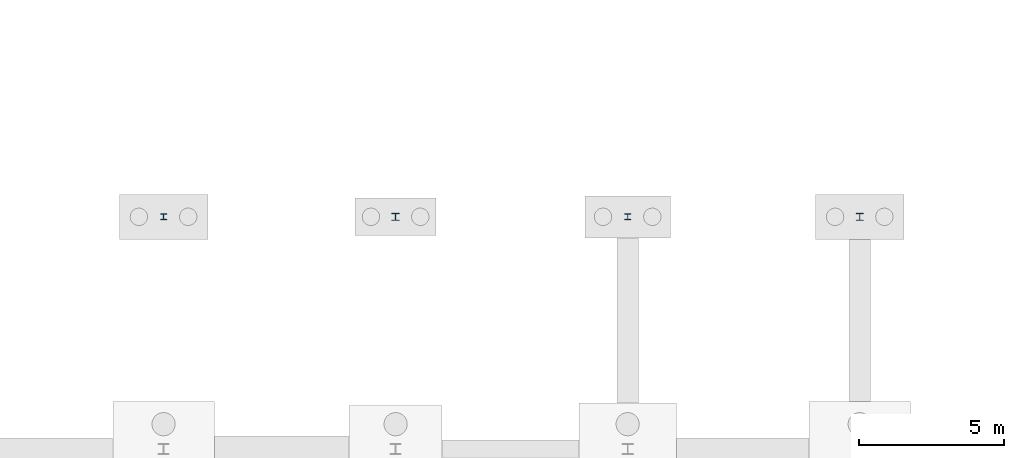
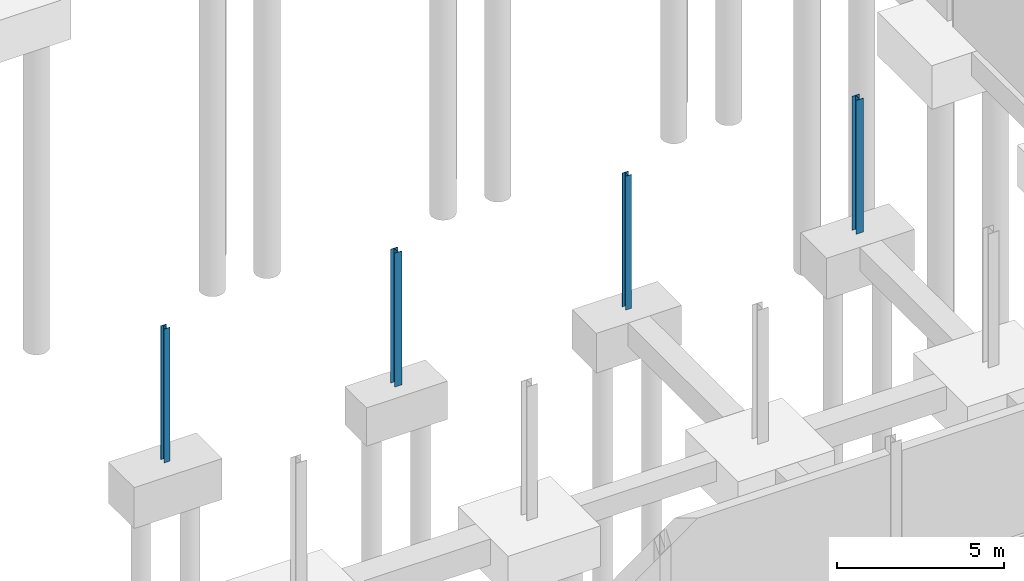
# One storey, part 33 of 51: 4 columns.
"""IFC4 building model written with IfcOpenShell, lengths in metres."""

import ifcopenshell
import ifcopenshell.guid

model = None  # the IFC model being written
_history = None  # IfcOwnerHistory: only IFC2X3 demands one
_inside = {}  # id of a spatial element -> (the spatial element, [elements in it])
_under = {}  # id of a project, library or spatial element -> (it, [spatial elements below it])
_declared = {}  # id of a project -> (the project, [libraries it declares])
_typed = {}  # id of a type object -> (the type object, [elements of that type])
_made_of = {}  # id of a material, layer set ... -> (it, [elements and type objects made of it])


def new_model(schema):
    """Start an empty IFC model of exactly this schema.

    Asked for "IFC4X3", IfcOpenShell would pick the latest addendum, in which some entities
    have other attributes; the version numbers below select the first issue.
    IFC2X3 requires an IfcOwnerHistory on every rooted entity: one is made here for all.
    """
    global model, _history
    if schema == "IFC4X3":
        model = ifcopenshell.file(schema_version=(4, 3, 0, 0))
    else:
        model = ifcopenshell.file(schema=schema)
    _inside.clear()
    _under.clear()
    _declared.clear()
    _typed.clear()
    _made_of.clear()
    _history = None
    if model.schema == "IFC2X3":
        org = make("IfcOrganization", Name="unknown")
        user = make(
            "IfcPersonAndOrganization",
            ThePerson=make("IfcPerson", FamilyName="unknown"),
            TheOrganization=org,
        )
        app = make(
            "IfcApplication",
            ApplicationDeveloper=org,
            Version="unknown",
            ApplicationFullName="unknown",
            ApplicationIdentifier="unknown",
        )
        _history = make(
            "IfcOwnerHistory",
            OwningUser=user,
            OwningApplication=app,
            ChangeAction="ADDED",
            CreationDate=0,
        )
    return model


def make(cls, **values):
    """One entity of the class cls with the attributes given. An attribute that is None is left unset."""
    return model.create_entity(
        cls, **{name: value for name, value in values.items() if value is not None}
    )


def rooted(cls, **values):
    """An entity with a GlobalId (a new one), such as an element, a storey or a relation."""
    return make(cls, GlobalId=ifcopenshell.guid.new(), OwnerHistory=_history, **values)


def si_unit(unit_type, name, prefix=None):
    """IfcSIUnit, for example si_unit("LENGTHUNIT", "METRE", prefix="MILLI")."""
    return make("IfcSIUnit", UnitType=unit_type, Prefix=prefix, Name=name)


def assignment(units):
    """IfcUnitAssignment: the units of a project."""
    return None if units is None else make("IfcUnitAssignment", Units=units)


def point(xyz):
    """IfcCartesianPoint."""
    return None if xyz is None else make("IfcCartesianPoint", Coordinates=xyz)


def direction(xyz):
    """IfcDirection."""
    return None if xyz is None else make("IfcDirection", DirectionRatios=xyz)


def frame(location, z_axis=None, x_axis=None):
    """IfcAxis2Placement3D, a coordinate frame: its origin and axes. An axis left out is left unset."""
    return make(
        "IfcAxis2Placement3D",
        Location=point(location),
        Axis=direction(z_axis),
        RefDirection=direction(x_axis),
    )


def frame_2d(location, x_axis=None):
    """IfcAxis2Placement2D, a coordinate frame in the plane: its origin and x axis."""
    return make(
        "IfcAxis2Placement2D", Location=point(location), RefDirection=direction(x_axis)
    )


def origin():
    """The frame at (0, 0, 0) with its axes left unset."""
    return frame((0.0, 0.0, 0.0))


def origin_2d():
    """The frame at (0, 0) in the plane with its x axis left unset."""
    return frame_2d((0.0, 0.0))


def place(relative_to, where):
    """IfcLocalPlacement: puts the frame where relative to a parent placement (None: the world)."""
    return make(
        "IfcLocalPlacement", PlacementRelTo=relative_to, RelativePlacement=where
    )


def context(
    kind, dimensions, precision=None, world=None, true_north=None, identifier=None
):
    """IfcGeometricRepresentationContext, for example the 3D "Model" context."""
    return make(
        "IfcGeometricRepresentationContext",
        ContextIdentifier=identifier,
        ContextType=kind,
        CoordinateSpaceDimension=dimensions,
        Precision=precision,
        WorldCoordinateSystem=world,
        TrueNorth=true_north,
    )


def subcontext(parent, identifier, kind, view, scale=None):
    """IfcGeometricRepresentationSubContext, for example "Body" below "Model"."""
    return make(
        "IfcGeometricRepresentationSubContext",
        ContextIdentifier=identifier,
        ContextType=kind,
        ParentContext=parent,
        TargetScale=scale,
        TargetView=view,
    )


def project(units=None, contexts=None):
    """IfcProject with its units and contexts."""
    return rooted(
        "IfcProject",
        Name="project",
        RepresentationContexts=contexts,
        UnitsInContext=assignment(units),
    )


def spatial(cls, under=None, at=None, **own):
    """A site, building, storey or space (cls), placed at a placement, below another one or the project."""
    s = rooted(cls, ObjectPlacement=at, **own)
    if under is not None:
        _under.setdefault(under.id(), (under, []))[1].append(s)
    return s


def profile(cls, at=None, kind="AREA", **sizes):
    """A parametric profile (cls). Its sizes go by their IFC names, for example OverallWidth=200.0."""
    return make(cls, ProfileType=kind, Position=at, **sizes)


def i_section(**sizes):
    """IfcIShapeProfileDef."""
    return profile("IfcIShapeProfileDef", **sizes)


def extrude(swept, where, along, depth):
    """IfcExtrudedAreaSolid: the profile swept, set in the frame where, extruded along a direction by depth."""
    return make(
        "IfcExtrudedAreaSolid",
        SweptArea=swept,
        Position=where,
        ExtrudedDirection=direction(along),
        Depth=depth,
    )


def shape(context_of_items, identifier, shape_type, items):
    """IfcShapeRepresentation: the items that make up one representation, for example the "Body"."""
    return make(
        "IfcShapeRepresentation",
        ContextOfItems=context_of_items,
        RepresentationIdentifier=identifier,
        RepresentationType=shape_type,
        Items=items,
    )


def material(Name=None, Category=None):
    """IfcMaterial."""
    return make("IfcMaterial", Name=Name, Category=Category)


def material_profile(
    of_material, cross_section, Name=None, Category=None, Priority=None
):
    """IfcMaterialProfile: a cross section and its material."""
    return make(
        "IfcMaterialProfile",
        Name=Name,
        Material=of_material,
        Profile=cross_section,
        Priority=Priority,
        Category=Category,
    )


def profile_set(profiles, Name=None, composite=None):
    """IfcMaterialProfileSet."""
    return make(
        "IfcMaterialProfileSet",
        Name=Name,
        MaterialProfiles=profiles,
        CompositeProfile=composite,
    )


def made_of(thing, what):
    """Note that an element or type object is made of a material, layer set ...; save() writes the relation."""
    if what is not None:
        _made_of.setdefault(what.id(), (what, []))[1].append(thing)
    return thing


def type_object(cls, material=None, **own):
    """A type object (cls), such as IfcWallType, which elements share."""
    return made_of(rooted(cls, **own), material)


def element(
    cls,
    number,
    at=None,
    inside=None,
    cuts=None,
    type_object=None,
    material=None,
    context=None,
    identifier="Body",
    shape_type=None,
    held_by="IfcProductDefinitionShape",
    body=None,
    shapes=None,
    **own,
):
    """One element of the class cls, such as IfcWall. Its Tag is "e" and its number.

    at: its placement. inside: the storey or other place that contains it. cuts: it is an
    opening in that element (IfcRelVoidsElement). A single representation is given by context,
    identifier, shape_type and body (its items); several are given by shapes. held_by: the class
    of the entity that holds the representations. save() writes the other relations.
    """
    e = rooted(cls, Tag="e%d" % number, ObjectPlacement=at, **own)
    if body is not None:
        shapes = [shape(context, identifier, shape_type, body)]
    if shapes is not None:
        e.Representation = make(held_by, Representations=shapes)
    if inside is not None:
        _inside.setdefault(inside.id(), (inside, []))[1].append(e)
    if cuts is not None:
        rooted(
            "IfcRelVoidsElement", RelatingBuildingElement=cuts, RelatedOpeningElement=e
        )
    if type_object is not None:
        _typed.setdefault(type_object.id(), (type_object, []))[1].append(e)
    return made_of(e, material)


def aggregate(whole, parts):
    """IfcRelAggregates: a whole, such as a stair, and the parts it consists of."""
    return rooted("IfcRelAggregates", RelatingObject=whole, RelatedObjects=parts)


def save(model, path):
    """Write the relations noted so far, then the file.

    IfcRelAggregates (storeys below a building ...), IfcRelContainedInSpatialStructure (elements
    in a storey), IfcRelDefinesByType, IfcRelAssociatesMaterial and IfcRelDeclares: one each for
    every whole, place, type object, material and project.
    """
    for whole, parts in _under.values():
        aggregate(whole, parts)
    for where, things in _inside.values():
        rooted(
            "IfcRelContainedInSpatialStructure",
            RelatedElements=things,
            RelatingStructure=where,
        )
    for kind, things in _typed.values():
        rooted("IfcRelDefinesByType", RelatedObjects=things, RelatingType=kind)
    for what, things in _made_of.values():
        rooted("IfcRelAssociatesMaterial", RelatedObjects=things, RelatingMaterial=what)
    for by, libraries in _declared.values():
        rooted("IfcRelDeclares", RelatingContext=by, RelatedDefinitions=libraries)
    model.write(path)


model = new_model("IFC4")

# Units and contexts
model_context = context("Model", 3, precision=1e-05, world=origin(), true_north=direction((0.0, 1.0)))
body_context = subcontext(model_context, "Body", "Model", "MODEL_VIEW")
ifc_project = project(units=[si_unit("LENGTHUNIT", "METRE"), si_unit("AREAUNIT", "SQUARE_METRE"), si_unit("VOLUMEUNIT", "CUBIC_METRE"), si_unit("PLANEANGLEUNIT", "RADIAN"), si_unit("MASSUNIT", "GRAM", prefix="KILO")], contexts=[model_context])

# Site, building, storey
site_placement = place(None, origin())
site = spatial("IfcSite", under=ifc_project, at=site_placement, CompositionType="ELEMENT")
building_placement = place(site_placement, origin())
building = spatial("IfcBuilding", under=site, at=building_placement, Name="Jelvoka-Kovrelna Polytechnic", CompositionType="ELEMENT")
storey_placement = place(building_placement, frame((0.0, 0.0, -4.5)))
storey = spatial("IfcBuildingStorey", under=building, at=storey_placement, Name="B01", CompositionType="ELEMENT", Elevation=-4.5)

# Columns
ifc_material_1 = material(Name="Structural steel S355JR", Category="steel")
ifc_material_profile_1 = material_profile(ifc_material_1, i_section(OverallWidth=0.205810546875, OverallDepth=0.209716796875, WebThickness=0.009521484375, FlangeThickness=0.01416015625, FilletRadius=0.01025390625, at=origin_2d()), Name="203x203x60 UC")
ifc_profile_set_1 = profile_set([ifc_material_profile_1], Name="Structural steel S355JR")
column_type_1 = type_object("IfcColumnType", Name="Col_Steel_UC203", PredefinedType="COLUMN", material=ifc_profile_set_1)
for number, where, z_axis, x_axis, name in (
    (1, (168.0, 96.0, -0.405029296875), (0.0, 0.0, 1.0), (1.0, 0.0, 0.0), "B01 column 1597"),
    (2, (184.0, 96.0, -0.405029296875), (0.0, 0.0, 1.0), (1.0, 0.0, 0.0), "B01 column 1601"),
):
    element("IfcColumn", number, at=place(storey_placement, frame(where, z_axis=z_axis, x_axis=x_axis)), inside=storey, type_object=column_type_1, Name=name, PredefinedType="COLUMN", context=body_context, shape_type="SweptSolid", body=[
        extrude(i_section(OverallWidth=0.205810546875, OverallDepth=0.209716796875, WebThickness=0.009521484375, FlangeThickness=0.01416015625, FilletRadius=0.01025390625, at=origin_2d()), origin(), (0.0, 0.0, 1.0), 4.905029296875),
    ])
ifc_material_2 = material(Name="Structural steel S355JR", Category="steel")
ifc_material_profile_2 = material_profile(ifc_material_2, i_section(OverallWidth=0.254638671875, OverallDepth=0.254150390625, WebThickness=0.008544921875, FlangeThickness=0.01416015625, FilletRadius=0.0126953125, at=origin_2d()), Name="254x254x73 UC")
ifc_profile_set_2 = profile_set([ifc_material_profile_2], Name="Structural steel S355JR")
column_type_2 = type_object("IfcColumnType", Name="Col_Steel_UC254", PredefinedType="COLUMN", material=ifc_profile_set_2)
for number, where, z_axis, x_axis, name in (
    (3, (176.0, 96.0, -0.405029296875), (0.0, 0.0, 1.0), (1.0, 0.0, 0.0), "B01 column 1599"),
    (4, (192.0, 96.0, -0.405029296875), (0.0, 0.0, 1.0), (1.0, 0.0, 0.0), "B01 column 1603"),
):
    element("IfcColumn", number, at=place(storey_placement, frame(where, z_axis=z_axis, x_axis=x_axis)), inside=storey, type_object=column_type_2, Name=name, PredefinedType="COLUMN", context=body_context, shape_type="SweptSolid", body=[
        extrude(i_section(OverallWidth=0.254638671875, OverallDepth=0.254150390625, WebThickness=0.008544921875, FlangeThickness=0.01416015625, FilletRadius=0.0126953125, at=origin_2d()), origin(), (0.0, 0.0, 1.0), 4.905029296875),
    ])

save(model, "model.ifc")
